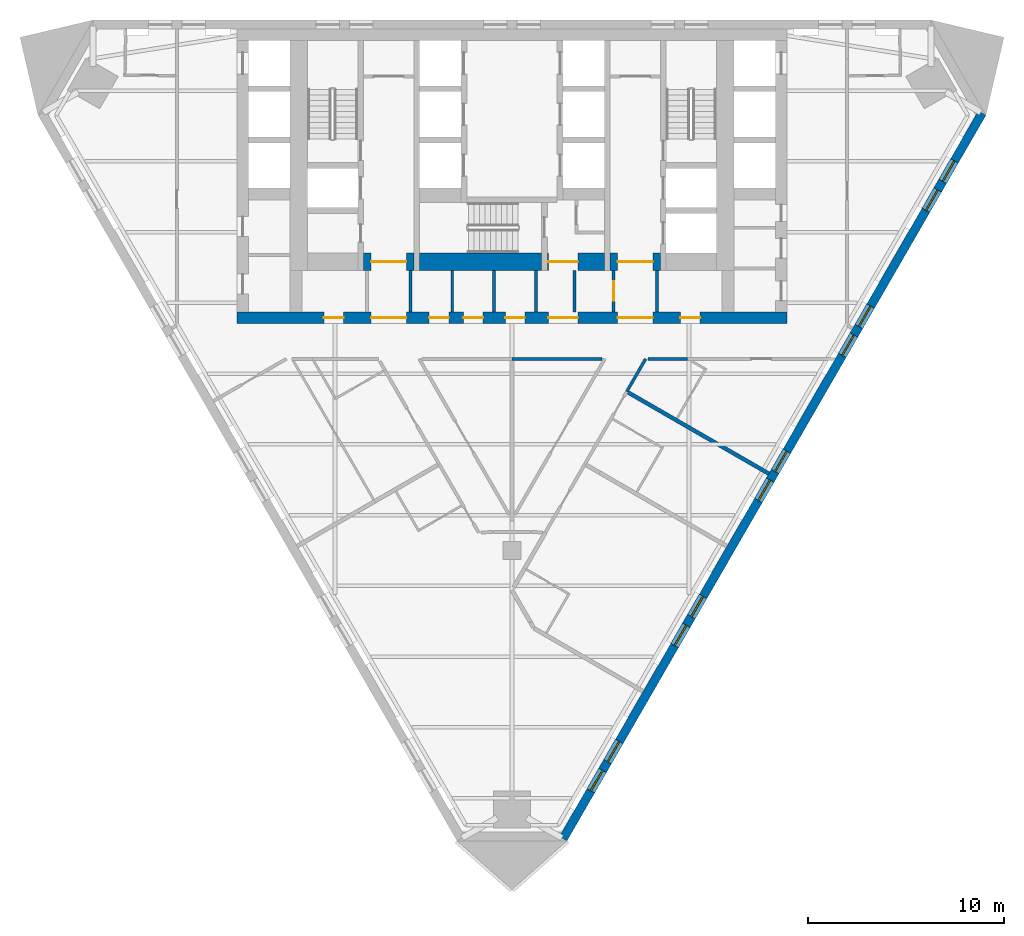
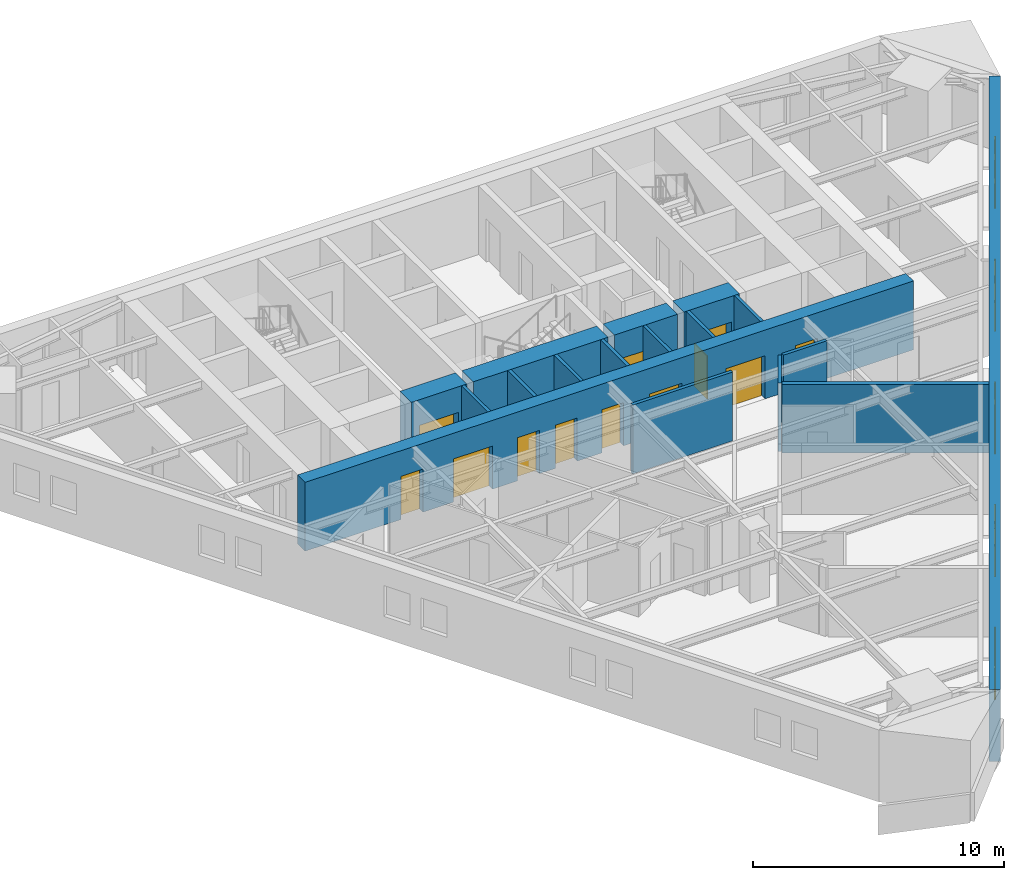
# One storey, part 4 of 9: 17 walls, 12 doors, 10 windows, 22 openings.
"""IFC4 building model written with IfcOpenShell, lengths in metres."""

from ifc_helpers import new_model, si_unit, direction, frame, frame_2d, origin, place, context, subcontext, project, spatial, polyline, rectangle, outline, extrude, material, layer, layer_set, type_object, element, fill, save


model = new_model("IFC4")

# Units and contexts
model_context = context("Model", 3, precision=1e-05, world=origin(), true_north=direction((0.0, 1.0)))
body_context = subcontext(model_context, "Body", "Model", "MODEL_VIEW")
ifc_project = project(units=[si_unit("LENGTHUNIT", "METRE"), si_unit("AREAUNIT", "SQUARE_METRE"), si_unit("VOLUMEUNIT", "CUBIC_METRE"), si_unit("PLANEANGLEUNIT", "RADIAN"), si_unit("MASSUNIT", "GRAM", prefix="KILO")], contexts=[model_context])

# Site, building, storey
site_placement = place(None, origin())
site = spatial("IfcSite", under=ifc_project, at=site_placement, CompositionType="ELEMENT")
building_placement = place(site_placement, origin())
building = spatial("IfcBuilding", under=site, at=building_placement, Name="Aloe Facet Convention Tower", CompositionType="ELEMENT")
storey_placement = place(building_placement, frame((0.0, 0.0, 106.300048828125)))
storey = spatial("IfcBuildingStorey", under=building, at=storey_placement, Name="L26", CompositionType="ELEMENT", Elevation=106.300048828125)

# Walls
ifc_material_1 = material(Name="Concrete blockwork partition", Category="masonry")
ifc_layer_1 = layer(ifc_material_1, 0.14990234375)
ifc_layer_set_1 = layer_set([ifc_layer_1], Name="CR-W-PART150")
wall_type_1 = type_object("IfcWallType", Name="CR-W-PART150", PredefinedType="PARTITIONING", material=ifc_layer_set_1)
for number, where, z_axis, x_axis, name in (
    (1, (74.824951171875, 122.25, 0.0), (0.0, 0.0, 1.0), (0.0, -1.0, 0.0), "Core partition L26-017"),
    (2, (76.958251953125, 122.25, 0.0), (0.0, 0.0, 1.0), (0.0, -1.0, 0.0), "Core partition L26-023"),
    (3, (79.091552734375, 122.25, 0.0), (0.0, 0.0, 1.0), (0.0, -1.0, 0.0), "Core partition L26-026"),
    (4, (81.22509765625, 122.25, 0.0), (0.0, 0.0, 1.0), (0.0, -1.0, 0.0), "Core partition L26-027"),
    (5, (83.175048828125, 122.25, 0.0), (0.0, 0.0, 1.0), (0.0, -1.0, 0.0), "Core partition L26-034"),
):
    element("IfcWall", number, at=place(storey_placement, frame(where, z_axis=z_axis, x_axis=x_axis)), inside=storey, type_object=wall_type_1, Name=name, PredefinedType="PARTITIONING", context=body_context, shape_type="SweptSolid", body=[
        extrude(rectangle(XDim=2.10009765625, YDim=0.14990234375, at=frame_2d((1.050048828125, 0.0))), origin(), (0.0, 0.0, 1.0), 3.349853515625),
    ])

# Wall, opening, door
wall_1_placement = place(storey_placement, frame((85.175048828125, 122.25, 0.0), z_axis=(0.0, 0.0, 1.0), x_axis=(0.0, -1.0, 0.0)))
wall_1 = element("IfcWall", 6, at=wall_1_placement, inside=storey, type_object=wall_type_1, Name="Core partition L26-040", PredefinedType="PARTITIONING", context=body_context, shape_type="SweptSolid", body=[
    extrude(rectangle(XDim=2.10009765625, YDim=0.14990234375, at=frame_2d((1.050048828125, 0.0))), origin(), (0.0, 0.0, 1.0), 3.349853515625),
])
opening_1_placement = place(wall_1_placement, frame((0.550048828125, 0.0, 0.0)))
opening_1 = element("IfcOpeningElement", 7, at=opening_1_placement, cuts=wall_1, Name="Opening L26-CD28", PredefinedType="OPENING", context=body_context, shape_type="SweptSolid", body=[
    extrude(rectangle(XDim=1.0, YDim=2.10009765625, at=frame_2d((0.5, 1.050048828125))), frame((0.0, 0.0849609375, 0.0), z_axis=(0.0, -1.0, 0.0), x_axis=(1.0, 0.0, 0.0)), (0.0, 0.0, 1.0), 0.169921875),
])
ifc_material_2 = material(Name="Steel fire-resisting door set FD60", Category="steel")
door_type_1 = type_object("IfcDoorType", Name="CR-D-ROOM-1000-FD60-SRIGHT", OperationType="SINGLE_SWING_RIGHT", PredefinedType="DOOR", material=ifc_material_2)
door_1_placement = place(opening_1_placement, origin())
door_1 = element("IfcDoor", 8, at=door_1_placement, inside=storey, type_object=door_type_1, Name="Core door L26-CD28", OperationType="SINGLE_SWING_RIGHT", OverallHeight=2.10009765625, OverallWidth=1.0, PredefinedType="DOOR", context=body_context, shape_type="SweptSolid", body=[
    extrude(rectangle(XDim=1.0, YDim=2.10009765625, at=frame_2d((0.5, 1.050048828125))), frame((0.0, 0.02490234375, 0.0), z_axis=(0.0, -1.0, 0.0), x_axis=(1.0, 0.0, 0.0)), (0.0, 0.0, 1.0), 0.050048828125),
])
fill(opening_1, door_1)

# Wall
wall_2_placement = place(storey_placement, frame((87.375, 122.25, 0.0), z_axis=(0.0, 0.0, 1.0), x_axis=(0.0, -1.0, 0.0)))
element("IfcWall", 9, at=wall_2_placement, inside=storey, type_object=wall_type_1, Name="Core partition L26-041", PredefinedType="PARTITIONING", context=body_context, shape_type="SweptSolid", body=[
    extrude(rectangle(XDim=2.10009765625, YDim=0.14990234375, at=frame_2d((1.050048828125, 0.0))), origin(), (0.0, 0.0, 1.0), 3.349853515625),
])

# Wall, openings, doors
ifc_material_3 = material(Name="Concrete C70/85", Category="concrete")
ifc_layer_2 = layer(ifc_material_3, 0.60009765625)
ifc_layer_set_2 = layer_set([ifc_layer_2], Name="CR-W-RC600-C7085")
wall_type_2 = type_object("IfcWallType", Name="CR-W-RC600-C7085", PredefinedType="SOLIDWALL", material=ifc_layer_set_2)
wall_3_placement = place(storey_placement, frame((66.0, 119.85009765625, 0.0), z_axis=(0.0, 0.0, 1.0), x_axis=(1.0, 0.0, 0.0)))
wall_3 = element("IfcWall", 10, at=wall_3_placement, inside=storey, type_object=wall_type_2, Name="Core wall L26-003", PredefinedType="SOLIDWALL", context=body_context, shape_type="SweptSolid", body=[
    extrude(rectangle(XDim=28.0, YDim=0.60009765625, at=frame_2d((14.0, 0.0))), origin(), (0.0, 0.0, 1.0), 3.349853515625),
])
opening_2_placement = place(wall_3_placement, frame((6.824951171875, 0.0, 0.0)))
opening_2 = element("IfcOpeningElement", 11, at=opening_2_placement, cuts=wall_3, Name="Opening L26-CD17", PredefinedType="OPENING", context=body_context, shape_type="SweptSolid", body=[
    extrude(rectangle(XDim=1.800048828125, YDim=2.10009765625, at=frame_2d((0.89990234375, 1.050048828125))), frame((0.0, 0.31005859375, 0.0), z_axis=(0.0, -1.0, 0.0), x_axis=(1.0, 0.0, 0.0)), (0.0, 0.0, 1.0), 0.6201171875),
])
opening_3_placement = place(wall_3_placement, frame((15.85009765625, 0.0, 0.0)))
opening_3 = element("IfcOpeningElement", 12, at=opening_3_placement, cuts=wall_3, Name="Opening L26-CD18", PredefinedType="OPENING", context=body_context, shape_type="SweptSolid", body=[
    extrude(rectangle(XDim=1.5, YDim=2.10009765625, at=frame_2d((0.75, 1.050048828125))), frame((0.0, 0.31005859375, 0.0), z_axis=(0.0, -1.0, 0.0), x_axis=(1.0, 0.0, 0.0)), (0.0, 0.0, 1.0), 0.6201171875),
])
opening_4_placement = place(wall_3_placement, frame((19.375, 0.0, 0.0)))
opening_4 = element("IfcOpeningElement", 13, at=opening_4_placement, cuts=wall_3, Name="Opening L26-CD19", PredefinedType="OPENING", context=body_context, shape_type="SweptSolid", body=[
    extrude(rectangle(XDim=1.800048828125, YDim=2.10009765625, at=frame_2d((0.89990234375, 1.050048828125))), frame((0.0, 0.31005859375, 0.0), z_axis=(0.0, -1.0, 0.0), x_axis=(1.0, 0.0, 0.0)), (0.0, 0.0, 1.0), 0.6201171875),
])
opening_5_placement = place(wall_3_placement, frame((4.425048828125, 0.0, 0.0)))
opening_5 = element("IfcOpeningElement", 14, at=opening_5_placement, cuts=wall_3, Name="Opening L26-CD24", PredefinedType="OPENING", context=body_context, shape_type="SweptSolid", body=[
    extrude(rectangle(XDim=1.0, YDim=2.10009765625, at=frame_2d((0.5, 1.050048828125))), frame((0.0, 0.31005859375, 0.0), z_axis=(0.0, -1.0, 0.0), x_axis=(1.0, 0.0, 0.0)), (0.0, 0.0, 1.0), 0.6201171875),
])
opening_6_placement = place(wall_3_placement, frame((9.783203125, 0.0, 0.0)))
opening_6 = element("IfcOpeningElement", 15, at=opening_6_placement, cuts=wall_3, Name="Opening L26-CD25", PredefinedType="OPENING", context=body_context, shape_type="SweptSolid", body=[
    extrude(rectangle(XDim=1.0, YDim=2.10009765625, at=frame_2d((0.5, 1.050048828125))), frame((0.0, 0.31005859375, 0.0), z_axis=(0.0, -1.0, 0.0), x_axis=(1.0, 0.0, 0.0)), (0.0, 0.0, 1.0), 0.6201171875),
])
opening_7_placement = place(wall_3_placement, frame((11.52490234375, 0.0, 0.0)))
opening_7 = element("IfcOpeningElement", 16, at=opening_7_placement, cuts=wall_3, Name="Opening L26-CD26", PredefinedType="OPENING", context=body_context, shape_type="SweptSolid", body=[
    extrude(rectangle(XDim=1.0, YDim=2.10009765625, at=frame_2d((0.5, 1.050048828125))), frame((0.0, 0.31005859375, 0.0), z_axis=(0.0, -1.0, 0.0), x_axis=(1.0, 0.0, 0.0)), (0.0, 0.0, 1.0), 0.6201171875),
])
opening_8_placement = place(wall_3_placement, frame((13.658203125, 0.0, 0.0)))
opening_8 = element("IfcOpeningElement", 17, at=opening_8_placement, cuts=wall_3, Name="Opening L26-CD27", PredefinedType="OPENING", context=body_context, shape_type="SweptSolid", body=[
    extrude(rectangle(XDim=1.0, YDim=2.10009765625, at=frame_2d((0.5, 1.050048828125))), frame((0.0, 0.31005859375, 0.0), z_axis=(0.0, -1.0, 0.0), x_axis=(1.0, 0.0, 0.0)), (0.0, 0.0, 1.0), 0.6201171875),
])
opening_9_placement = place(wall_3_placement, frame((22.574951171875, 0.0, 0.0)))
opening_9 = element("IfcOpeningElement", 18, at=opening_9_placement, cuts=wall_3, Name="Opening L26-CD29", PredefinedType="OPENING", context=body_context, shape_type="SweptSolid", body=[
    extrude(rectangle(XDim=1.0, YDim=2.10009765625, at=frame_2d((0.5, 1.050048828125))), frame((0.0, 0.31005859375, 0.0), z_axis=(0.0, -1.0, 0.0), x_axis=(1.0, 0.0, 0.0)), (0.0, 0.0, 1.0), 0.6201171875),
])
ifc_material_4 = material(Name="Steel fire-resisting door set FD60", Category="steel")
door_type_2 = type_object("IfcDoorType", Name="CR-D-EXIT-1500-FD60-DD", OperationType="DOUBLE_DOOR_DOUBLE_SWING", PredefinedType="DOOR", material=ifc_material_4)
door_2_placement = place(opening_3_placement, origin())
door_2 = element("IfcDoor", 19, at=door_2_placement, inside=storey, type_object=door_type_2, Name="Core door L26-CD18", OperationType="DOUBLE_DOOR_DOUBLE_SWING", OverallHeight=2.10009765625, OverallWidth=1.5, PredefinedType="DOOR", context=body_context, shape_type="SweptSolid", body=[
    extrude(rectangle(XDim=1.5, YDim=2.10009765625, at=frame_2d((0.75, 1.050048828125))), frame((0.0, 0.02490234375, 0.0), z_axis=(0.0, -1.0, 0.0), x_axis=(1.0, 0.0, 0.0)), (0.0, 0.0, 1.0), 0.050048828125),
])
fill(opening_3, door_2)
ifc_material_5 = material(Name="Steel fire-resisting door set FD60", Category="steel")
door_type_3 = type_object("IfcDoorType", Name="CR-D-EXIT-1800-FD60-DD", OperationType="DOUBLE_DOOR_DOUBLE_SWING", PredefinedType="DOOR", material=ifc_material_5)
door_3_placement = place(opening_2_placement, origin())
door_3 = element("IfcDoor", 20, at=door_3_placement, inside=storey, type_object=door_type_3, Name="Core door L26-CD17", OperationType="DOUBLE_DOOR_DOUBLE_SWING", OverallHeight=2.10009765625, OverallWidth=1.800048828125, PredefinedType="DOOR", context=body_context, shape_type="SweptSolid", body=[
    extrude(rectangle(XDim=1.800048828125, YDim=2.10009765625, at=frame_2d((0.89990234375, 1.050048828125))), frame((0.0, 0.02490234375, 0.0), z_axis=(0.0, -1.0, 0.0), x_axis=(1.0, 0.0, 0.0)), (0.0, 0.0, 1.0), 0.050048828125),
])
fill(opening_2, door_3)
door_4_placement = place(opening_4_placement, origin())
door_4 = element("IfcDoor", 21, at=door_4_placement, inside=storey, type_object=door_type_3, Name="Core door L26-CD19", OperationType="DOUBLE_DOOR_DOUBLE_SWING", OverallHeight=2.10009765625, OverallWidth=1.800048828125, PredefinedType="DOOR", context=body_context, shape_type="SweptSolid", body=[
    extrude(rectangle(XDim=1.800048828125, YDim=2.10009765625, at=frame_2d((0.89990234375, 1.050048828125))), frame((0.0, 0.02490234375, 0.0), z_axis=(0.0, -1.0, 0.0), x_axis=(1.0, 0.0, 0.0)), (0.0, 0.0, 1.0), 0.050048828125),
])
fill(opening_4, door_4)
door_5_placement = place(opening_5_placement, origin())
door_5 = element("IfcDoor", 22, at=door_5_placement, inside=storey, type_object=door_type_1, Name="Core door L26-CD24", OperationType="SINGLE_SWING_RIGHT", OverallHeight=2.10009765625, OverallWidth=1.0, PredefinedType="DOOR", context=body_context, shape_type="SweptSolid", body=[
    extrude(rectangle(XDim=1.0, YDim=2.10009765625, at=frame_2d((0.5, 1.050048828125))), frame((0.0, 0.02490234375, 0.0), z_axis=(0.0, -1.0, 0.0), x_axis=(1.0, 0.0, 0.0)), (0.0, 0.0, 1.0), 0.050048828125),
])
fill(opening_5, door_5)
door_6_placement = place(opening_6_placement, origin())
door_6 = element("IfcDoor", 23, at=door_6_placement, inside=storey, type_object=door_type_1, Name="Core door L26-CD25", OperationType="SINGLE_SWING_RIGHT", OverallHeight=2.10009765625, OverallWidth=1.0, PredefinedType="DOOR", context=body_context, shape_type="SweptSolid", body=[
    extrude(rectangle(XDim=1.0, YDim=2.10009765625, at=frame_2d((0.5, 1.050048828125))), frame((0.0, 0.02490234375, 0.0), z_axis=(0.0, -1.0, 0.0), x_axis=(1.0, 0.0, 0.0)), (0.0, 0.0, 1.0), 0.050048828125),
])
fill(opening_6, door_6)
door_7_placement = place(opening_7_placement, origin())
door_7 = element("IfcDoor", 24, at=door_7_placement, inside=storey, type_object=door_type_1, Name="Core door L26-CD26", OperationType="SINGLE_SWING_RIGHT", OverallHeight=2.10009765625, OverallWidth=1.0, PredefinedType="DOOR", context=body_context, shape_type="SweptSolid", body=[
    extrude(rectangle(XDim=1.0, YDim=2.10009765625, at=frame_2d((0.5, 1.050048828125))), frame((0.0, 0.02490234375, 0.0), z_axis=(0.0, -1.0, 0.0), x_axis=(1.0, 0.0, 0.0)), (0.0, 0.0, 1.0), 0.050048828125),
])
fill(opening_7, door_7)
door_8_placement = place(opening_8_placement, origin())
door_8 = element("IfcDoor", 25, at=door_8_placement, inside=storey, type_object=door_type_1, Name="Core door L26-CD27", OperationType="SINGLE_SWING_RIGHT", OverallHeight=2.10009765625, OverallWidth=1.0, PredefinedType="DOOR", context=body_context, shape_type="SweptSolid", body=[
    extrude(rectangle(XDim=1.0, YDim=2.10009765625, at=frame_2d((0.5, 1.050048828125))), frame((0.0, 0.02490234375, 0.0), z_axis=(0.0, -1.0, 0.0), x_axis=(1.0, 0.0, 0.0)), (0.0, 0.0, 1.0), 0.050048828125),
])
fill(opening_8, door_8)
door_9_placement = place(opening_9_placement, origin())
door_9 = element("IfcDoor", 26, at=door_9_placement, inside=storey, type_object=door_type_1, Name="Core door L26-CD29", OperationType="SINGLE_SWING_RIGHT", OverallHeight=2.10009765625, OverallWidth=1.0, PredefinedType="DOOR", context=body_context, shape_type="SweptSolid", body=[
    extrude(rectangle(XDim=1.0, YDim=2.10009765625, at=frame_2d((0.5, 1.050048828125))), frame((0.0, 0.02490234375, 0.0), z_axis=(0.0, -1.0, 0.0), x_axis=(1.0, 0.0, 0.0)), (0.0, 0.0, 1.0), 0.050048828125),
])
fill(opening_9, door_9)

# Wall, opening, door
ifc_material_6 = material(Name="Concrete C70/85", Category="concrete")
ifc_layer_3 = layer(ifc_material_6, 0.89990234375)
ifc_layer_set_3 = layer_set([ifc_layer_3], Name="CR-W-RC900-C7085")
wall_type_3 = type_object("IfcWallType", Name="CR-W-RC900-C7085", PredefinedType="SOLIDWALL", material=ifc_layer_set_3)
wall_4_placement = place(storey_placement, frame((72.449951171875, 122.699951171875, 0.0), z_axis=(0.0, 0.0, 1.0), x_axis=(1.0, 0.0, 0.0)))
wall_4 = element("IfcWall", 27, at=wall_4_placement, inside=storey, type_object=wall_type_3, Name="Core wall L26-015", PredefinedType="SOLIDWALL", context=body_context, shape_type="SweptSolid", body=[
    extrude(rectangle(XDim=2.550048828125, YDim=0.89990234375, at=frame_2d((1.27490234375, 0.0))), origin(), (0.0, 0.0, 1.0), 3.349853515625),
])
opening_10_placement = place(wall_4_placement, frame((0.375, 0.0, 0.0)))
opening_10 = element("IfcOpeningElement", 28, at=opening_10_placement, cuts=wall_4, Name="Opening L26-CD15", PredefinedType="OPENING", context=body_context, shape_type="SweptSolid", body=[
    extrude(rectangle(XDim=1.800048828125, YDim=2.10009765625, at=frame_2d((0.89990234375, 1.050048828125))), frame((0.0, 0.4599609375, 0.0), z_axis=(0.0, -1.0, 0.0), x_axis=(1.0, 0.0, 0.0)), (0.0, 0.0, 1.0), 0.919921875),
])
ifc_material_7 = material(Name="Steel fire-resisting door set FD120", Category="steel")
door_type_4 = type_object("IfcDoorType", Name="CR-D-EXIT-1800-FD120-DD", OperationType="DOUBLE_DOOR_DOUBLE_SWING", PredefinedType="DOOR", material=ifc_material_7)
door_10_placement = place(opening_10_placement, origin())
door_10 = element("IfcDoor", 29, at=door_10_placement, inside=storey, type_object=door_type_4, Name="Core door L26-CD15", OperationType="DOUBLE_DOOR_DOUBLE_SWING", OverallHeight=2.10009765625, OverallWidth=1.800048828125, PredefinedType="DOOR", context=body_context, shape_type="SweptSolid", body=[
    extrude(rectangle(XDim=1.800048828125, YDim=2.10009765625, at=frame_2d((0.89990234375, 1.050048828125))), frame((0.0, 0.02490234375, 0.0), z_axis=(0.0, -1.0, 0.0), x_axis=(1.0, 0.0, 0.0)), (0.0, 0.0, 1.0), 0.050048828125),
])
fill(opening_10, door_10)

# Wall
wall_5_placement = place(storey_placement, frame((75.300048828125, 122.699951171875, 0.0), z_axis=(0.0, 0.0, 1.0), x_axis=(1.0, 0.0, 0.0)))
element("IfcWall", 30, at=wall_5_placement, inside=storey, type_object=wall_type_3, Name="Core wall L26-022", PredefinedType="SOLIDWALL", context=body_context, shape_type="SweptSolid", body=[
    extrude(rectangle(XDim=6.199951171875, YDim=0.89990234375, at=frame_2d((3.10009765625, 0.0))), origin(), (0.0, 0.0, 1.0), 3.349853515625),
])

# Wall, opening, door
wall_6_placement = place(storey_placement, frame((81.800048828125, 122.699951171875, 0.0), z_axis=(0.0, 0.0, 1.0), x_axis=(1.0, 0.0, 0.0)))
wall_6 = element("IfcWall", 31, at=wall_6_placement, inside=storey, type_object=wall_type_3, Name="Core wall L26-029", PredefinedType="SOLIDWALL", context=body_context, shape_type="SweptSolid", body=[
    extrude(rectangle(XDim=2.89990234375, YDim=0.89990234375, at=frame_2d((1.449951171875, 0.0))), origin(), (0.0, 0.0, 1.0), 3.349853515625),
])
opening_11_placement = place(wall_6_placement, frame((0.050048828125, 0.0, 0.0)))
opening_11 = element("IfcOpeningElement", 32, at=opening_11_placement, cuts=wall_6, Name="Opening L26-CD16", PredefinedType="OPENING", context=body_context, shape_type="SweptSolid", body=[
    extrude(rectangle(XDim=1.5, YDim=2.10009765625, at=frame_2d((0.75, 1.050048828125))), frame((0.0, 0.4599609375, 0.0), z_axis=(0.0, -1.0, 0.0), x_axis=(1.0, 0.0, 0.0)), (0.0, 0.0, 1.0), 0.919921875),
])
door_11_placement = place(opening_11_placement, origin())
door_11 = element("IfcDoor", 33, at=door_11_placement, inside=storey, type_object=door_type_2, Name="Core door L26-CD16", OperationType="DOUBLE_DOOR_DOUBLE_SWING", OverallHeight=2.10009765625, OverallWidth=1.5, PredefinedType="DOOR", context=body_context, shape_type="SweptSolid", body=[
    extrude(rectangle(XDim=1.5, YDim=2.10009765625, at=frame_2d((0.75, 1.050048828125))), frame((0.0, 0.02490234375, 0.0), z_axis=(0.0, -1.0, 0.0), x_axis=(1.0, 0.0, 0.0)), (0.0, 0.0, 1.0), 0.050048828125),
])
fill(opening_11, door_11)

wall_7_placement = place(storey_placement, frame((85.0, 122.699951171875, 0.0), z_axis=(0.0, 0.0, 1.0), x_axis=(1.0, 0.0, 0.0)))
wall_7 = element("IfcWall", 34, at=wall_7_placement, inside=storey, type_object=wall_type_3, Name="Core wall L26-039", PredefinedType="SOLIDWALL", context=body_context, shape_type="SweptSolid", body=[
    extrude(rectangle(XDim=2.550048828125, YDim=0.89990234375, at=frame_2d((1.27490234375, 0.0))), origin(), (0.0, 0.0, 1.0), 3.349853515625),
])
opening_12_placement = place(wall_7_placement, frame((0.375, 0.0, 0.0)))
opening_12 = element("IfcOpeningElement", 35, at=opening_12_placement, cuts=wall_7, Name="Opening L26-CD14", PredefinedType="OPENING", context=body_context, shape_type="SweptSolid", body=[
    extrude(rectangle(XDim=1.800048828125, YDim=2.10009765625, at=frame_2d((0.89990234375, 1.050048828125))), frame((0.0, 0.4599609375, 0.0), z_axis=(0.0, -1.0, 0.0), x_axis=(1.0, 0.0, 0.0)), (0.0, 0.0, 1.0), 0.919921875),
])
door_12_placement = place(opening_12_placement, origin())
door_12 = element("IfcDoor", 36, at=door_12_placement, inside=storey, type_object=door_type_4, Name="Core door L26-CD14", OperationType="DOUBLE_DOOR_DOUBLE_SWING", OverallHeight=2.10009765625, OverallWidth=1.800048828125, PredefinedType="DOOR", context=body_context, shape_type="SweptSolid", body=[
    extrude(rectangle(XDim=1.800048828125, YDim=2.10009765625, at=frame_2d((0.89990234375, 1.050048828125))), frame((0.0, 0.02490234375, 0.0), z_axis=(0.0, -1.0, 0.0), x_axis=(1.0, 0.0, 0.0)), (0.0, 0.0, 1.0), 0.050048828125),
])
fill(opening_12, door_12)

# Wall, openings, windows
ifc_material_8 = material(Name="Precast concrete C40/50", Category="concrete")
ifc_layer_4 = layer(ifc_material_8, 0.449951171875)
ifc_layer_set_4 = layer_set([ifc_layer_4], Name="EV-WALL-STONE")
wall_type_4 = type_object("IfcWallType", Name="EV-WALL-STONE", PredefinedType="SOLIDWALL", material=ifc_layer_set_4)
wall_8_placement = place(storey_placement, frame((82.605224609375, 93.332763671875, -0.150146484375), z_axis=(0.0, 0.0, 1.0), x_axis=(0.500000478905, 0.866025127289, 0.0)))
wall_8 = element("IfcWall", 37, at=wall_8_placement, inside=storey, type_object=wall_type_4, Name="EW-L26-E01", PredefinedType="SOLIDWALL", context=body_context, shape_type="SweptSolid", body=[
    extrude(outline(polyline([(42.64306640625, 0.0), (42.64306640625, 3.5), (0.0, 3.5), (0.0, 0.0), (42.64306640625, 0.0)])), frame((0.0, 0.22509765625, 0.0), z_axis=(0.0, -1.0, 0.0), x_axis=(1.0, 0.0, 0.0)), (0.0, 0.0, 1.0), 0.449951171875),
])
opening_13_placement = place(wall_8_placement, frame((2.814208984375, 0.0, 1.050048828125)))
opening_13 = element("IfcOpeningElement", 38, at=opening_13_placement, cuts=wall_8, Name="Opening W-L26-E01", PredefinedType="OPENING", context=body_context, shape_type="SweptSolid", body=[
    extrude(rectangle(XDim=1.199951171875, YDim=1.5, at=frame_2d((0.60009765625, 0.75))), frame((0.0, 0.23486328125, 0.0), z_axis=(0.0, -1.0, 0.0), x_axis=(1.0, 0.0, 0.0)), (0.0, 0.0, 1.0), 0.469970703125),
])
opening_14_placement = place(wall_8_placement, frame((4.514404296875, 0.0, 1.050048828125)))
opening_14 = element("IfcOpeningElement", 39, at=opening_14_placement, cuts=wall_8, Name="Opening W-L26-E02", PredefinedType="OPENING", context=body_context, shape_type="SweptSolid", body=[
    extrude(rectangle(XDim=1.199951171875, YDim=1.5, at=frame_2d((0.60009765625, 0.75))), frame((0.0, 0.23486328125, 0.0), z_axis=(0.0, -1.0, 0.0), x_axis=(1.0, 0.0, 0.0)), (0.0, 0.0, 1.0), 0.469970703125),
])
opening_15_placement = place(wall_8_placement, frame((11.343017578125, 0.0, 1.050048828125)))
opening_15 = element("IfcOpeningElement", 40, at=opening_15_placement, cuts=wall_8, Name="Opening W-L26-E03", PredefinedType="OPENING", context=body_context, shape_type="SweptSolid", body=[
    extrude(rectangle(XDim=1.199951171875, YDim=1.5, at=frame_2d((0.60009765625, 0.75))), frame((0.0, 0.23486328125, 0.0), z_axis=(0.0, -1.0, 0.0), x_axis=(1.0, 0.0, 0.0)), (0.0, 0.0, 1.0), 0.469970703125),
])
opening_16_placement = place(wall_8_placement, frame((13.04296875, 0.0, 1.050048828125)))
opening_16 = element("IfcOpeningElement", 41, at=opening_16_placement, cuts=wall_8, Name="Opening W-L26-E04", PredefinedType="OPENING", context=body_context, shape_type="SweptSolid", body=[
    extrude(rectangle(XDim=1.199951171875, YDim=1.5, at=frame_2d((0.60009765625, 0.75))), frame((0.0, 0.23486328125, 0.0), z_axis=(0.0, -1.0, 0.0), x_axis=(1.0, 0.0, 0.0)), (0.0, 0.0, 1.0), 0.469970703125),
])
opening_17_placement = place(wall_8_placement, frame((19.87158203125, 0.0, 1.050048828125)))
opening_17 = element("IfcOpeningElement", 42, at=opening_17_placement, cuts=wall_8, Name="Opening W-L26-E05", PredefinedType="OPENING", context=body_context, shape_type="SweptSolid", body=[
    extrude(rectangle(XDim=1.199951171875, YDim=1.5, at=frame_2d((0.60009765625, 0.75))), frame((0.0, 0.23486328125, 0.0), z_axis=(0.0, -1.0, 0.0), x_axis=(1.0, 0.0, 0.0)), (0.0, 0.0, 1.0), 0.469970703125),
])
opening_18_placement = place(wall_8_placement, frame((21.571533203125, 0.0, 1.050048828125)))
opening_18 = element("IfcOpeningElement", 43, at=opening_18_placement, cuts=wall_8, Name="Opening W-L26-E06", PredefinedType="OPENING", context=body_context, shape_type="SweptSolid", body=[
    extrude(rectangle(XDim=1.199951171875, YDim=1.5, at=frame_2d((0.60009765625, 0.75))), frame((0.0, 0.23486328125, 0.0), z_axis=(0.0, -1.0, 0.0), x_axis=(1.0, 0.0, 0.0)), (0.0, 0.0, 1.0), 0.469970703125),
])
opening_19_placement = place(wall_8_placement, frame((28.400146484375, 0.0, 1.050048828125)))
opening_19 = element("IfcOpeningElement", 44, at=opening_19_placement, cuts=wall_8, Name="Opening W-L26-E07", PredefinedType="OPENING", context=body_context, shape_type="SweptSolid", body=[
    extrude(rectangle(XDim=1.199951171875, YDim=1.5, at=frame_2d((0.60009765625, 0.75))), frame((0.0, 0.23486328125, 0.0), z_axis=(0.0, -1.0, 0.0), x_axis=(1.0, 0.0, 0.0)), (0.0, 0.0, 1.0), 0.469970703125),
])
opening_20_placement = place(wall_8_placement, frame((30.10009765625, 0.0, 1.050048828125)))
opening_20 = element("IfcOpeningElement", 45, at=opening_20_placement, cuts=wall_8, Name="Opening W-L26-E08", PredefinedType="OPENING", context=body_context, shape_type="SweptSolid", body=[
    extrude(rectangle(XDim=1.199951171875, YDim=1.5, at=frame_2d((0.60009765625, 0.75))), frame((0.0, 0.23486328125, 0.0), z_axis=(0.0, -1.0, 0.0), x_axis=(1.0, 0.0, 0.0)), (0.0, 0.0, 1.0), 0.469970703125),
])
opening_21_placement = place(wall_8_placement, frame((36.9287109375, 0.0, 1.050048828125)))
opening_21 = element("IfcOpeningElement", 46, at=opening_21_placement, cuts=wall_8, Name="Opening W-L26-E09", PredefinedType="OPENING", context=body_context, shape_type="SweptSolid", body=[
    extrude(rectangle(XDim=1.199951171875, YDim=1.5, at=frame_2d((0.60009765625, 0.75))), frame((0.0, 0.23486328125, 0.0), z_axis=(0.0, -1.0, 0.0), x_axis=(1.0, 0.0, 0.0)), (0.0, 0.0, 1.0), 0.469970703125),
])
opening_22_placement = place(wall_8_placement, frame((38.628662109375, 0.0, 1.050048828125)))
opening_22 = element("IfcOpeningElement", 47, at=opening_22_placement, cuts=wall_8, Name="Opening W-L26-E10", PredefinedType="OPENING", context=body_context, shape_type="SweptSolid", body=[
    extrude(rectangle(XDim=1.199951171875, YDim=1.5, at=frame_2d((0.60009765625, 0.75))), frame((0.0, 0.23486328125, 0.0), z_axis=(0.0, -1.0, 0.0), x_axis=(1.0, 0.0, 0.0)), (0.0, 0.0, 1.0), 0.469970703125),
])
ifc_material_9 = material(Name="Aluminium frame, clear double glazing", Category="aluminium")
window_type = type_object("IfcWindowType", Name="EV-WIN-H12", PartitioningType="SINGLE_PANEL", PredefinedType="WINDOW", material=ifc_material_9)
window_1_placement = place(opening_13_placement, origin())
window_1 = element("IfcWindow", 48, at=window_1_placement, inside=storey, type_object=window_type, Name="W-L26-E01", OverallHeight=1.5, OverallWidth=1.199951171875, PartitioningType="SINGLE_PANEL", PredefinedType="WINDOW", context=body_context, shape_type="SweptSolid", body=[
    extrude(rectangle(XDim=1.199951171875, YDim=1.5, at=frame_2d((0.60009765625, 0.75))), frame((0.0, 0.030029296875, 0.0), z_axis=(0.0, -1.0, 0.0), x_axis=(1.0, 0.0, 0.0)), (0.0, 0.0, 1.0), 0.06005859375),
])
fill(opening_13, window_1)
window_2_placement = place(opening_14_placement, origin())
window_2 = element("IfcWindow", 49, at=window_2_placement, inside=storey, type_object=window_type, Name="W-L26-E02", OverallHeight=1.5, OverallWidth=1.199951171875, PartitioningType="SINGLE_PANEL", PredefinedType="WINDOW", context=body_context, shape_type="SweptSolid", body=[
    extrude(rectangle(XDim=1.199951171875, YDim=1.5, at=frame_2d((0.60009765625, 0.75))), frame((0.0, 0.030029296875, 0.0), z_axis=(0.0, -1.0, 0.0), x_axis=(1.0, 0.0, 0.0)), (0.0, 0.0, 1.0), 0.06005859375),
])
fill(opening_14, window_2)
window_3_placement = place(opening_15_placement, origin())
window_3 = element("IfcWindow", 50, at=window_3_placement, inside=storey, type_object=window_type, Name="W-L26-E03", OverallHeight=1.5, OverallWidth=1.199951171875, PartitioningType="SINGLE_PANEL", PredefinedType="WINDOW", context=body_context, shape_type="SweptSolid", body=[
    extrude(rectangle(XDim=1.199951171875, YDim=1.5, at=frame_2d((0.60009765625, 0.75))), frame((0.0, 0.030029296875, 0.0), z_axis=(0.0, -1.0, 0.0), x_axis=(1.0, 0.0, 0.0)), (0.0, 0.0, 1.0), 0.06005859375),
])
fill(opening_15, window_3)
window_4_placement = place(opening_16_placement, origin())
window_4 = element("IfcWindow", 51, at=window_4_placement, inside=storey, type_object=window_type, Name="W-L26-E04", OverallHeight=1.5, OverallWidth=1.199951171875, PartitioningType="SINGLE_PANEL", PredefinedType="WINDOW", context=body_context, shape_type="SweptSolid", body=[
    extrude(rectangle(XDim=1.199951171875, YDim=1.5, at=frame_2d((0.60009765625, 0.75))), frame((0.0, 0.030029296875, 0.0), z_axis=(0.0, -1.0, 0.0), x_axis=(1.0, 0.0, 0.0)), (0.0, 0.0, 1.0), 0.06005859375),
])
fill(opening_16, window_4)
window_5_placement = place(opening_17_placement, origin())
window_5 = element("IfcWindow", 52, at=window_5_placement, inside=storey, type_object=window_type, Name="W-L26-E05", OverallHeight=1.5, OverallWidth=1.199951171875, PartitioningType="SINGLE_PANEL", PredefinedType="WINDOW", context=body_context, shape_type="SweptSolid", body=[
    extrude(rectangle(XDim=1.199951171875, YDim=1.5, at=frame_2d((0.60009765625, 0.75))), frame((0.0, 0.030029296875, 0.0), z_axis=(0.0, -1.0, 0.0), x_axis=(1.0, 0.0, 0.0)), (0.0, 0.0, 1.0), 0.06005859375),
])
fill(opening_17, window_5)
window_6_placement = place(opening_18_placement, origin())
window_6 = element("IfcWindow", 53, at=window_6_placement, inside=storey, type_object=window_type, Name="W-L26-E06", OverallHeight=1.5, OverallWidth=1.199951171875, PartitioningType="SINGLE_PANEL", PredefinedType="WINDOW", context=body_context, shape_type="SweptSolid", body=[
    extrude(rectangle(XDim=1.199951171875, YDim=1.5, at=frame_2d((0.60009765625, 0.75))), frame((0.0, 0.030029296875, 0.0), z_axis=(0.0, -1.0, 0.0), x_axis=(1.0, 0.0, 0.0)), (0.0, 0.0, 1.0), 0.06005859375),
])
fill(opening_18, window_6)
window_7_placement = place(opening_19_placement, origin())
window_7 = element("IfcWindow", 54, at=window_7_placement, inside=storey, type_object=window_type, Name="W-L26-E07", OverallHeight=1.5, OverallWidth=1.199951171875, PartitioningType="SINGLE_PANEL", PredefinedType="WINDOW", context=body_context, shape_type="SweptSolid", body=[
    extrude(rectangle(XDim=1.199951171875, YDim=1.5, at=frame_2d((0.60009765625, 0.75))), frame((0.0, 0.030029296875, 0.0), z_axis=(0.0, -1.0, 0.0), x_axis=(1.0, 0.0, 0.0)), (0.0, 0.0, 1.0), 0.06005859375),
])
fill(opening_19, window_7)
window_8_placement = place(opening_20_placement, origin())
window_8 = element("IfcWindow", 55, at=window_8_placement, inside=storey, type_object=window_type, Name="W-L26-E08", OverallHeight=1.5, OverallWidth=1.199951171875, PartitioningType="SINGLE_PANEL", PredefinedType="WINDOW", context=body_context, shape_type="SweptSolid", body=[
    extrude(rectangle(XDim=1.199951171875, YDim=1.5, at=frame_2d((0.60009765625, 0.75))), frame((0.0, 0.030029296875, 0.0), z_axis=(0.0, -1.0, 0.0), x_axis=(1.0, 0.0, 0.0)), (0.0, 0.0, 1.0), 0.06005859375),
])
fill(opening_20, window_8)
window_9_placement = place(opening_21_placement, origin())
window_9 = element("IfcWindow", 56, at=window_9_placement, inside=storey, type_object=window_type, Name="W-L26-E09", OverallHeight=1.5, OverallWidth=1.199951171875, PartitioningType="SINGLE_PANEL", PredefinedType="WINDOW", context=body_context, shape_type="SweptSolid", body=[
    extrude(rectangle(XDim=1.199951171875, YDim=1.5, at=frame_2d((0.60009765625, 0.75))), frame((0.0, 0.030029296875, 0.0), z_axis=(0.0, -1.0, 0.0), x_axis=(1.0, 0.0, 0.0)), (0.0, 0.0, 1.0), 0.06005859375),
])
fill(opening_21, window_9)
window_10_placement = place(opening_22_placement, origin())
window_10 = element("IfcWindow", 57, at=window_10_placement, inside=storey, type_object=window_type, Name="W-L26-E10", OverallHeight=1.5, OverallWidth=1.199951171875, PartitioningType="SINGLE_PANEL", PredefinedType="WINDOW", context=body_context, shape_type="SweptSolid", body=[
    extrude(rectangle(XDim=1.199951171875, YDim=1.5, at=frame_2d((0.60009765625, 0.75))), frame((0.0, 0.030029296875, 0.0), z_axis=(0.0, -1.0, 0.0), x_axis=(1.0, 0.0, 0.0)), (0.0, 0.0, 1.0), 0.06005859375),
])
fill(opening_22, window_10)

# Walls
ifc_material_10 = material(Name="Gypsum board partition on steel studs", Category="steel")
ifc_layer_5 = layer(ifc_material_10, 0.14990234375)
ifc_layer_set_5 = layer_set([ifc_layer_5], Name="IN-W-CORR")
wall_type_5 = type_object("IfcWallType", Name="IN-W-CORR", PredefinedType="PARTITIONING", material=ifc_layer_set_5)
wall_9_placement = place(storey_placement, frame((85.83984375, 116.085205078125, 0.0), z_axis=(0.0, 0.0, 1.0), x_axis=(0.499909361484, 0.866077727632, 0.0)))
element("IfcWall", 58, at=wall_9_placement, inside=storey, type_object=wall_type_5, Name="Partition L26-W039", PredefinedType="PARTITIONING", context=body_context, shape_type="SweptSolid", body=[
    extrude(rectangle(XDim=1.922119140625, YDim=0.14990234375, at=frame_2d((0.9609375, 0.0))), origin(), (0.0, 0.0, 1.0), 3.349853515625),
])
wall_10_placement = place(storey_placement, frame((80.0, 117.75, 0.0), z_axis=(0.0, 0.0, 1.0), x_axis=(1.0, 0.0, 0.0)))
element("IfcWall", 59, at=wall_10_placement, inside=storey, type_object=wall_type_5, Name="Partition L26-W051", PredefinedType="PARTITIONING", context=body_context, shape_type="SweptSolid", body=[
    extrude(rectangle(XDim=4.592529296875, YDim=0.14990234375, at=frame_2d((2.29638671875, 0.0))), origin(), (0.0, 0.0, 1.0), 3.349853515625),
])
wall_11_placement = place(storey_placement, frame((86.9306640625, 117.75, 0.0), z_axis=(0.0, 0.0, 1.0), x_axis=(1.0, 0.0, 0.0)))
element("IfcWall", 60, at=wall_11_placement, inside=storey, type_object=wall_type_5, Name="Partition L26-W052", PredefinedType="PARTITIONING", context=body_context, shape_type="SweptSolid", body=[
    extrude(rectangle(XDim=2.005615234375, YDim=0.14990234375, at=frame_2d((1.0029296875, 0.0))), origin(), (0.0, 0.0, 1.0), 3.349853515625),
])
ifc_material_11 = material(Name="Gypsum board partition on steel studs", Category="steel")
ifc_layer_6 = layer(ifc_material_11, 0.199951171875)
ifc_layer_set_6 = layer_set([ifc_layer_6], Name="IN-W-PARTY")
wall_type_6 = type_object("IfcWallType", Name="IN-W-PARTY", PredefinedType="PARTITIONING", material=ifc_layer_set_6)
wall_12_placement = place(storey_placement, frame((85.913330078125, 116.042724609375, 0.0), z_axis=(0.0, 0.0, 1.0), x_axis=(0.866022272496, -0.500005423512, 0.0)))
element("IfcWall", 61, at=wall_12_placement, inside=storey, type_object=wall_type_6, Name="Partition L26-W024", PredefinedType="PARTITIONING", context=body_context, shape_type="SweptSolid", body=[
    extrude(rectangle(XDim=8.26513671875, YDim=0.199951171875, at=frame_2d((4.132568359375, 0.0))), origin(), (0.0, 0.0, 1.0), 3.349853515625),
])

save(model, "model.ifc")
